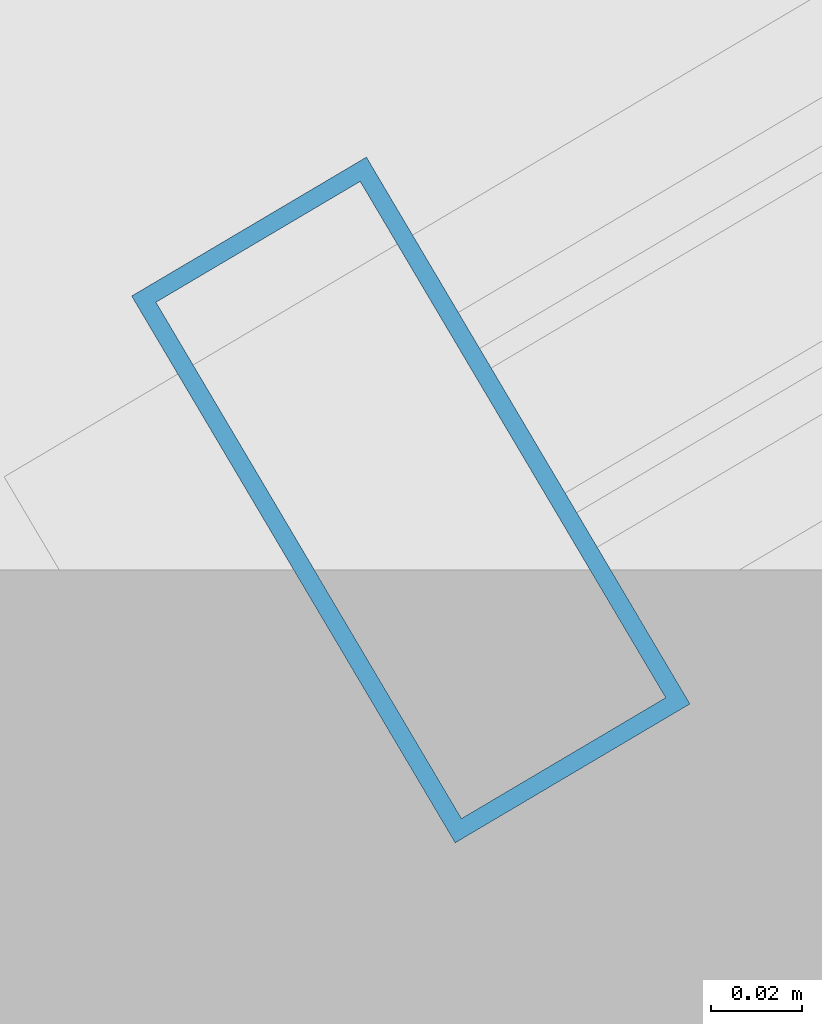
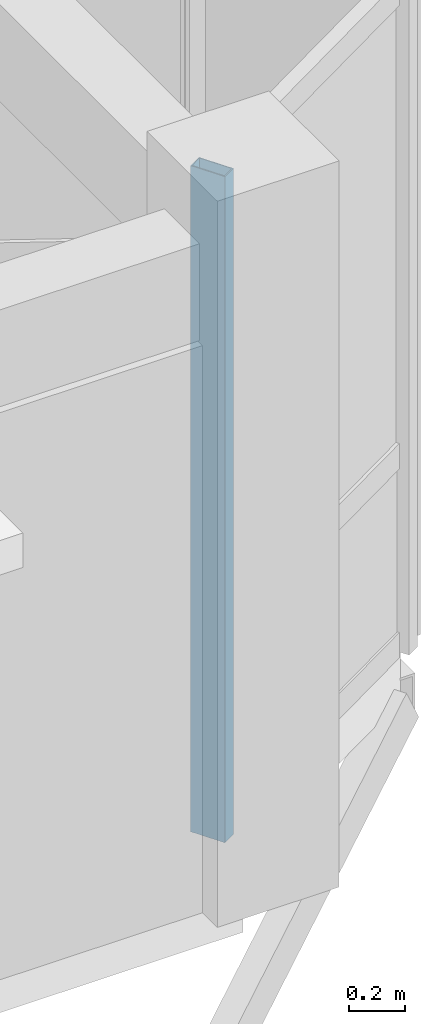
# One storey, part 16 of 64: 1 member, 1 element without a shape of its own.
"""IFC4 building model written with IfcOpenShell, lengths in metres."""

from ifc_helpers import new_model, si_unit, direction, frame, origin, origin_2d, place, context, subcontext, project, spatial, hollow_rectangle, extrude, material, layer, layer_set, material_profile, profile_set, type_object, element, aggregate, save


model = new_model("IFC4")

# Units and contexts
model_context = context("Model", 3, precision=1e-05, world=origin(), true_north=direction((0.0, 1.0)))
body_context = subcontext(model_context, "Body", "Model", "MODEL_VIEW")
ifc_project = project(units=[si_unit("LENGTHUNIT", "METRE"), si_unit("AREAUNIT", "SQUARE_METRE"), si_unit("VOLUMEUNIT", "CUBIC_METRE"), si_unit("PLANEANGLEUNIT", "RADIAN"), si_unit("MASSUNIT", "GRAM", prefix="KILO"), si_unit("THERMODYNAMICTEMPERATUREUNIT", "KELVIN"), si_unit("POWERUNIT", "WATT")], contexts=[model_context])

# Site, building, storey
site_placement = place(None, origin())
site = spatial("IfcSite", under=ifc_project, at=site_placement, CompositionType="ELEMENT")
building_placement = place(site_placement, origin())
building = spatial("IfcBuilding", under=site, at=building_placement, Name="Tavuni Mirador Residences", CompositionType="ELEMENT")
storey_placement = place(building_placement, frame((0.0, 0.0, 26.550048828125)))
storey = spatial("IfcBuildingStorey", under=building, at=storey_placement, Name="L08", CompositionType="ELEMENT", Elevation=26.550048828125)

# Curtain wall, member
ifc_material = material(Name="Anodised aluminium", Category="aluminium")
ifc_layer = layer(ifc_material, 0.175048828125, Name="Anodised aluminium", Category="aluminium")
ifc_layer_set = layer_set([ifc_layer], Name="Anodised aluminium")
curtain_wall_type = type_object("IfcCurtainWallType", Name="CWT-MIR-C", PredefinedType="NOTDEFINED", material=ifc_layer_set)
curtain_wall_placement = place(storey_placement, origin())
curtain_wall = element("IfcCurtainWall", 1, at=curtain_wall_placement, inside=storey, type_object=curtain_wall_type, Name="CW-MIR-D-E1-L08-M1", PredefinedType="NOTDEFINED")
ifc_material_profile = material_profile(ifc_material, hollow_rectangle(XDim=0.06005859375, YDim=0.139892578125, WallThickness=0.00390625, at=origin_2d()), Name="ALU 60x140x4.0", Category="aluminium")
ifc_profile_set = profile_set([ifc_material_profile], Name="Anodised aluminium")
member_type = type_object("IfcMemberType", Name="CWM-140", PredefinedType="MULLION", material=ifc_profile_set)
member_placement = place(storey_placement, frame((118.825927734375, 86.665283203125, 0.0), z_axis=(0.0, 0.0, 1.0), x_axis=(0.860640830284, 0.509212491254, 0.0)))
member = element("IfcMember", 2, at=member_placement, type_object=member_type, Name="CW-03 mullion 1", PredefinedType="MULLION", context=body_context, shape_type="SweptSolid", body=[
    extrude(hollow_rectangle(XDim=0.06005859375, YDim=0.139892578125, WallThickness=0.00390625, at=origin_2d()), origin(), (0.0, 0.0, 1.0), 2.889892578125),
])
aggregate(curtain_wall, [member])

save(model, "model.ifc")
